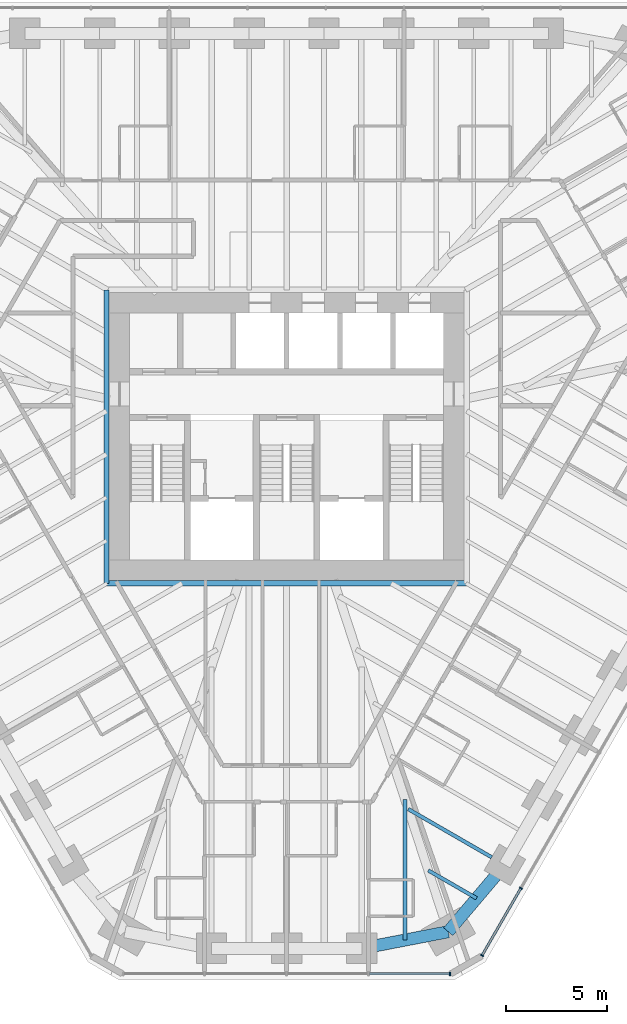
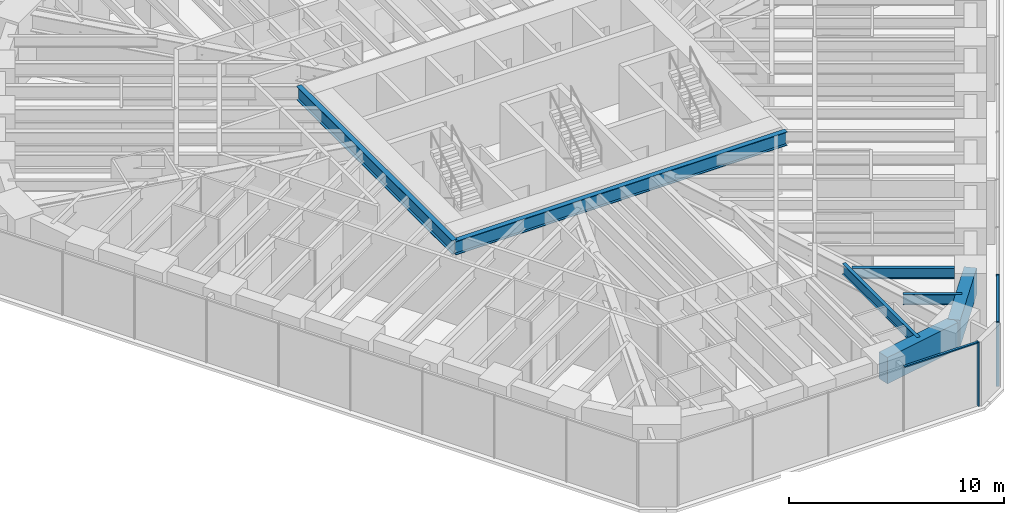
# One storey, part 4 of 17: 7 beams, 5 members, 2 elements without a shape of their own.
"""IFC4 building model written with IfcOpenShell, lengths in metres."""

import ifcopenshell
import ifcopenshell.guid

model = None  # the IFC model being written
_history = None  # IfcOwnerHistory: only IFC2X3 demands one
_inside = {}  # id of a spatial element -> (the spatial element, [elements in it])
_under = {}  # id of a project, library or spatial element -> (it, [spatial elements below it])
_declared = {}  # id of a project -> (the project, [libraries it declares])
_typed = {}  # id of a type object -> (the type object, [elements of that type])
_made_of = {}  # id of a material, layer set ... -> (it, [elements and type objects made of it])


def new_model(schema):
    """Start an empty IFC model of exactly this schema.

    Asked for "IFC4X3", IfcOpenShell would pick the latest addendum, in which some entities
    have other attributes; the version numbers below select the first issue.
    IFC2X3 requires an IfcOwnerHistory on every rooted entity: one is made here for all.
    """
    global model, _history
    if schema == "IFC4X3":
        model = ifcopenshell.file(schema_version=(4, 3, 0, 0))
    else:
        model = ifcopenshell.file(schema=schema)
    _inside.clear()
    _under.clear()
    _declared.clear()
    _typed.clear()
    _made_of.clear()
    _history = None
    if model.schema == "IFC2X3":
        org = make("IfcOrganization", Name="unknown")
        user = make(
            "IfcPersonAndOrganization",
            ThePerson=make("IfcPerson", FamilyName="unknown"),
            TheOrganization=org,
        )
        app = make(
            "IfcApplication",
            ApplicationDeveloper=org,
            Version="unknown",
            ApplicationFullName="unknown",
            ApplicationIdentifier="unknown",
        )
        _history = make(
            "IfcOwnerHistory",
            OwningUser=user,
            OwningApplication=app,
            ChangeAction="ADDED",
            CreationDate=0,
        )
    return model


def make(cls, **values):
    """One entity of the class cls with the attributes given. An attribute that is None is left unset."""
    return model.create_entity(
        cls, **{name: value for name, value in values.items() if value is not None}
    )


def rooted(cls, **values):
    """An entity with a GlobalId (a new one), such as an element, a storey or a relation."""
    return make(cls, GlobalId=ifcopenshell.guid.new(), OwnerHistory=_history, **values)


def si_unit(unit_type, name, prefix=None):
    """IfcSIUnit, for example si_unit("LENGTHUNIT", "METRE", prefix="MILLI")."""
    return make("IfcSIUnit", UnitType=unit_type, Prefix=prefix, Name=name)


def assignment(units):
    """IfcUnitAssignment: the units of a project."""
    return None if units is None else make("IfcUnitAssignment", Units=units)


def point(xyz):
    """IfcCartesianPoint."""
    return None if xyz is None else make("IfcCartesianPoint", Coordinates=xyz)


def direction(xyz):
    """IfcDirection."""
    return None if xyz is None else make("IfcDirection", DirectionRatios=xyz)


def frame(location, z_axis=None, x_axis=None):
    """IfcAxis2Placement3D, a coordinate frame: its origin and axes. An axis left out is left unset."""
    return make(
        "IfcAxis2Placement3D",
        Location=point(location),
        Axis=direction(z_axis),
        RefDirection=direction(x_axis),
    )


def frame_2d(location, x_axis=None):
    """IfcAxis2Placement2D, a coordinate frame in the plane: its origin and x axis."""
    return make(
        "IfcAxis2Placement2D", Location=point(location), RefDirection=direction(x_axis)
    )


def origin():
    """The frame at (0, 0, 0) with its axes left unset."""
    return frame((0.0, 0.0, 0.0))


def origin_2d():
    """The frame at (0, 0) in the plane with its x axis left unset."""
    return frame_2d((0.0, 0.0))


def place(relative_to, where):
    """IfcLocalPlacement: puts the frame where relative to a parent placement (None: the world)."""
    return make(
        "IfcLocalPlacement", PlacementRelTo=relative_to, RelativePlacement=where
    )


def context(
    kind, dimensions, precision=None, world=None, true_north=None, identifier=None
):
    """IfcGeometricRepresentationContext, for example the 3D "Model" context."""
    return make(
        "IfcGeometricRepresentationContext",
        ContextIdentifier=identifier,
        ContextType=kind,
        CoordinateSpaceDimension=dimensions,
        Precision=precision,
        WorldCoordinateSystem=world,
        TrueNorth=true_north,
    )


def subcontext(parent, identifier, kind, view, scale=None):
    """IfcGeometricRepresentationSubContext, for example "Body" below "Model"."""
    return make(
        "IfcGeometricRepresentationSubContext",
        ContextIdentifier=identifier,
        ContextType=kind,
        ParentContext=parent,
        TargetScale=scale,
        TargetView=view,
    )


def project(units=None, contexts=None):
    """IfcProject with its units and contexts."""
    return rooted(
        "IfcProject",
        Name="project",
        RepresentationContexts=contexts,
        UnitsInContext=assignment(units),
    )


def spatial(cls, under=None, at=None, **own):
    """A site, building, storey or space (cls), placed at a placement, below another one or the project."""
    s = rooted(cls, ObjectPlacement=at, **own)
    if under is not None:
        _under.setdefault(under.id(), (under, []))[1].append(s)
    return s


def profile(cls, at=None, kind="AREA", **sizes):
    """A parametric profile (cls). Its sizes go by their IFC names, for example OverallWidth=200.0."""
    return make(cls, ProfileType=kind, Position=at, **sizes)


def rectangle(**sizes):
    """IfcRectangleProfileDef."""
    return profile("IfcRectangleProfileDef", **sizes)


def i_section(**sizes):
    """IfcIShapeProfileDef."""
    return profile("IfcIShapeProfileDef", **sizes)


def extrude(swept, where, along, depth):
    """IfcExtrudedAreaSolid: the profile swept, set in the frame where, extruded along a direction by depth."""
    return make(
        "IfcExtrudedAreaSolid",
        SweptArea=swept,
        Position=where,
        ExtrudedDirection=direction(along),
        Depth=depth,
    )


def shape(context_of_items, identifier, shape_type, items):
    """IfcShapeRepresentation: the items that make up one representation, for example the "Body"."""
    return make(
        "IfcShapeRepresentation",
        ContextOfItems=context_of_items,
        RepresentationIdentifier=identifier,
        RepresentationType=shape_type,
        Items=items,
    )


def material(Name=None, Category=None):
    """IfcMaterial."""
    return make("IfcMaterial", Name=Name, Category=Category)


def material_profile(
    of_material, cross_section, Name=None, Category=None, Priority=None
):
    """IfcMaterialProfile: a cross section and its material."""
    return make(
        "IfcMaterialProfile",
        Name=Name,
        Material=of_material,
        Profile=cross_section,
        Priority=Priority,
        Category=Category,
    )


def profile_set(profiles, Name=None, composite=None):
    """IfcMaterialProfileSet."""
    return make(
        "IfcMaterialProfileSet",
        Name=Name,
        MaterialProfiles=profiles,
        CompositeProfile=composite,
    )


def made_of(thing, what):
    """Note that an element or type object is made of a material, layer set ...; save() writes the relation."""
    if what is not None:
        _made_of.setdefault(what.id(), (what, []))[1].append(thing)
    return thing


def type_object(cls, material=None, **own):
    """A type object (cls), such as IfcWallType, which elements share."""
    return made_of(rooted(cls, **own), material)


def element(
    cls,
    number,
    at=None,
    inside=None,
    cuts=None,
    type_object=None,
    material=None,
    context=None,
    identifier="Body",
    shape_type=None,
    held_by="IfcProductDefinitionShape",
    body=None,
    shapes=None,
    **own,
):
    """One element of the class cls, such as IfcWall. Its Tag is "e" and its number.

    at: its placement. inside: the storey or other place that contains it. cuts: it is an
    opening in that element (IfcRelVoidsElement). A single representation is given by context,
    identifier, shape_type and body (its items); several are given by shapes. held_by: the class
    of the entity that holds the representations. save() writes the other relations.
    """
    e = rooted(cls, Tag="e%d" % number, ObjectPlacement=at, **own)
    if body is not None:
        shapes = [shape(context, identifier, shape_type, body)]
    if shapes is not None:
        e.Representation = make(held_by, Representations=shapes)
    if inside is not None:
        _inside.setdefault(inside.id(), (inside, []))[1].append(e)
    if cuts is not None:
        rooted(
            "IfcRelVoidsElement", RelatingBuildingElement=cuts, RelatedOpeningElement=e
        )
    if type_object is not None:
        _typed.setdefault(type_object.id(), (type_object, []))[1].append(e)
    return made_of(e, material)


def aggregate(whole, parts):
    """IfcRelAggregates: a whole, such as a stair, and the parts it consists of."""
    return rooted("IfcRelAggregates", RelatingObject=whole, RelatedObjects=parts)


def save(model, path):
    """Write the relations noted so far, then the file.

    IfcRelAggregates (storeys below a building ...), IfcRelContainedInSpatialStructure (elements
    in a storey), IfcRelDefinesByType, IfcRelAssociatesMaterial and IfcRelDeclares: one each for
    every whole, place, type object, material and project.
    """
    for whole, parts in _under.values():
        aggregate(whole, parts)
    for where, things in _inside.values():
        rooted(
            "IfcRelContainedInSpatialStructure",
            RelatedElements=things,
            RelatingStructure=where,
        )
    for kind, things in _typed.values():
        rooted("IfcRelDefinesByType", RelatedObjects=things, RelatingType=kind)
    for what, things in _made_of.values():
        rooted("IfcRelAssociatesMaterial", RelatedObjects=things, RelatingMaterial=what)
    for by, libraries in _declared.values():
        rooted("IfcRelDeclares", RelatingContext=by, RelatedDefinitions=libraries)
    model.write(path)


model = new_model("IFC4")

# Units and contexts
model_context = context("Model", 3, precision=1e-05, world=origin(), true_north=direction((0.0, 1.0)))
body_context = subcontext(model_context, "Body", "Model", "MODEL_VIEW")
ifc_project = project(units=[si_unit("LENGTHUNIT", "METRE"), si_unit("AREAUNIT", "SQUARE_METRE"), si_unit("VOLUMEUNIT", "CUBIC_METRE"), si_unit("PLANEANGLEUNIT", "RADIAN"), si_unit("MASSUNIT", "GRAM", prefix="KILO")], contexts=[model_context])

# Site, building, storey
site_placement = place(None, origin())
site = spatial("IfcSite", under=ifc_project, at=site_placement, CompositionType="ELEMENT")
building_placement = place(site_placement, origin())
building = spatial("IfcBuilding", under=site, at=building_placement, Name="Sandreach Pilgrim Tower", CompositionType="ELEMENT")
storey_placement = place(building_placement, frame((0.0, 0.0, 221.199951171875)))
storey = spatial("IfcBuildingStorey", under=building, at=storey_placement, Name="L55", CompositionType="ELEMENT", Elevation=221.199951171875)

# Curtain wall, members
ifc_material_1 = material(Name="Aluminium framed curtain wall", Category="aluminium")
curtain_wall_type = type_object("IfcCurtainWallType", Name="Upper hotel tower curtain wall", PredefinedType="NOTDEFINED", material=ifc_material_1)
curtain_wall_1_placement = place(storey_placement, origin())
curtain_wall_1 = element("IfcCurtainWall", 1, at=curtain_wall_1_placement, inside=storey, type_object=curtain_wall_type, Name="CW-3 L55 SE", PredefinedType="NOTDEFINED")
ifc_material_2 = material(Name="Aluminium extrusion", Category="aluminium")
ifc_material_profile_1 = material_profile(ifc_material_2, rectangle(XDim=0.06494140625, YDim=0.159912109375, at=origin_2d()), Name="CW-3M 65X160")
ifc_profile_set_1 = profile_set([ifc_material_profile_1], Name="Aluminium extrusion")
member_type_1 = type_object("IfcMemberType", Name="CW-3 mullion", PredefinedType="MULLION", material=ifc_profile_set_1)
member_1_placement = place(storey_placement, frame((11.5625, -22.29345703125, 0.0), z_axis=(0.0, 0.0, 1.0), x_axis=(-0.5, -0.866025403784, 0.0)))
member_1 = element("IfcMember", 2, at=member_1_placement, type_object=member_type_1, Name="CW-3 mullion 9", PredefinedType="MULLION", context=body_context, shape_type="SweptSolid", body=[
    extrude(rectangle(XDim=0.06494140625, YDim=0.159912109375, at=origin_2d()), origin(), (0.0, 0.0, 1.0), 3.64013671875),
])
member_2_placement = place(storey_placement, frame((9.646484375, -25.612060546875, 0.0), z_axis=(0.0, 0.0, 1.0), x_axis=(-0.5, -0.866025403784, 0.0)))
member_2 = element("IfcMember", 3, at=member_2_placement, type_object=member_type_1, Name="CW-3 mullion 10", PredefinedType="MULLION", context=body_context, shape_type="SweptSolid", body=[
    extrude(rectangle(XDim=0.06494140625, YDim=0.159912109375, at=origin_2d()), origin(), (0.0, 0.0, 1.0), 3.64013671875),
])

# Curtain wall, member
curtain_wall_2_placement = place(storey_placement, origin())
curtain_wall_2 = element("IfcCurtainWall", 4, at=curtain_wall_2_placement, inside=storey, type_object=curtain_wall_type, Name="CW-3 L55 S", PredefinedType="NOTDEFINED")
member_3_placement = place(storey_placement, frame((8.06494140625, -26.525146484375, 0.0), z_axis=(0.0, 0.0, 1.0), x_axis=(-1.0, 0.0, 0.0)))
member_3 = element("IfcMember", 5, at=member_3_placement, type_object=member_type_1, Name="CW-3 mullion 1", PredefinedType="MULLION", context=body_context, shape_type="SweptSolid", body=[
    extrude(rectangle(XDim=0.06494140625, YDim=0.159912109375, at=origin_2d()), origin(), (0.0, 0.0, 1.0), 3.64013671875),
])

# Member
ifc_material_3 = material(Name="Aluminium extrusion", Category="aluminium")
ifc_material_profile_2 = material_profile(ifc_material_3, rectangle(XDim=0.1201171875, YDim=0.070068359375, at=origin_2d()), Name="CW-3T 120X70")
ifc_profile_set_2 = profile_set([ifc_material_profile_2], Name="Aluminium extrusion")
member_type_2 = type_object("IfcMemberType", Name="CW-3 transom", PredefinedType="USERDEFINED", material=ifc_profile_set_2)
member_4_placement = place(storey_placement, frame((11.546142578125, -22.321533203125, 3.60498046875), z_axis=(-0.499973055223, -0.8660409598, 0.0), x_axis=(0.8660409598, -0.499973055223, 0.0)))
member_4 = element("IfcMember", 6, at=member_4_placement, type_object=member_type_2, Name="CW-3 head transom 9", ObjectType="TRANSOM", PredefinedType="USERDEFINED", context=body_context, shape_type="SweptSolid", body=[
    extrude(rectangle(XDim=0.1201171875, YDim=0.070068359375, at=origin_2d()), origin(), (0.0, 0.0, 1.0), 3.766845703125),
])

aggregate(curtain_wall_1, [member_1, member_2, member_4])

member_5_placement = place(storey_placement, frame((8.032470703125, -26.525146484375, 3.60498046875), z_axis=(-1.0, 0.0, 0.0), x_axis=(0.0, -1.0, 0.0)))
member_5 = element("IfcMember", 7, at=member_5_placement, type_object=member_type_2, Name="CW-3 head transom 1", ObjectType="TRANSOM", PredefinedType="USERDEFINED", context=body_context, shape_type="SweptSolid", body=[
    extrude(rectangle(XDim=0.1201171875, YDim=0.070068359375, at=origin_2d()), origin(), (0.0, 0.0, 1.0), 3.951171875),
])

aggregate(curtain_wall_2, [member_3, member_5])

# Beams
ifc_material_4 = material(Name="Steel ASTM A992 Grade 50", Category="steel")
ifc_material_profile_3 = material_profile(ifc_material_4, i_section(OverallWidth=0.2666015625, OverallDepth=0.77978515625, WebThickness=0.0166015625, FlangeThickness=0.030029296875, at=origin_2d()), Name="W30X148")
ifc_profile_set_3 = profile_set([ifc_material_profile_3], Name="Steel ASTM A992 Grade 50")
beam_type_1 = type_object("IfcBeamType", Name="Core edge beam W30X148", PredefinedType="BEAM", material=ifc_profile_set_3)
beam_1_placement = place(storey_placement, frame((8.893310546875, -7.243408203125, 3.250244140625), z_axis=(-1.0, 0.0, 0.0), x_axis=(0.0, -1.0, 0.0)))
element("IfcBeam", 8, at=beam_1_placement, inside=storey, type_object=beam_type_1, Name="BM L55 CES", PredefinedType="BEAM", context=body_context, shape_type="SweptSolid", body=[
    extrude(i_section(OverallWidth=0.2666015625, OverallDepth=0.77978515625, WebThickness=0.0166015625, FlangeThickness=0.030029296875, at=origin_2d()), origin(), (0.0, 0.0, 1.0), 17.78662109375),
])
beam_2_placement = place(storey_placement, frame((-8.893310546875, -7.243408203125, 3.250244140625), z_axis=(0.0, 1.0, 0.0), x_axis=(-1.0, 0.0, 0.0)))
element("IfcBeam", 9, at=beam_2_placement, inside=storey, type_object=beam_type_1, Name="BM L55 CEW", PredefinedType="BEAM", context=body_context, shape_type="SweptSolid", body=[
    extrude(i_section(OverallWidth=0.2666015625, OverallDepth=0.77978515625, WebThickness=0.0166015625, FlangeThickness=0.030029296875, at=origin_2d()), origin(), (0.0, 0.0, 1.0), 14.48681640625),
])
ifc_material_5 = material(Name="Steel ASTM A992 Grade 50", Category="steel")
ifc_material_profile_4 = material_profile(ifc_material_5, i_section(OverallWidth=0.1787109375, OverallDepth=0.60205078125, WebThickness=0.010986328125, FlangeThickness=0.014892578125, at=origin_2d()), Name="W24X62")
ifc_profile_set_4 = profile_set([ifc_material_profile_4], Name="Steel ASTM A992 Grade 50")
beam_type_2 = type_object("IfcBeamType", Name="Floor beam W24X62", PredefinedType="BEAM", material=ifc_profile_set_4)
beam_3_placement = place(storey_placement, frame((10.12255859375, -20.767333984375, 3.339111328125), z_axis=(-0.86603347311, 0.499986023258, 0.0), x_axis=(-0.499986023258, -0.86603347311, 0.0)))
element("IfcBeam", 10, at=beam_3_placement, inside=storey, type_object=beam_type_2, Name="BM L55 F21", PredefinedType="BEAM", context=body_context, shape_type="SweptSolid", body=[
    extrude(i_section(OverallWidth=0.1787109375, OverallDepth=0.60205078125, WebThickness=0.010986328125, FlangeThickness=0.014892578125, at=origin_2d()), origin(), (0.0, 0.0, 1.0), 4.757568359375),
])
beam_4_placement = place(storey_placement, frame((9.375244140625, -22.7919921875, 3.339111328125), z_axis=(-0.866046803606, 0.49996293259, 0.0), x_axis=(-0.49996293259, -0.866046803606, 0.0)))
element("IfcBeam", 11, at=beam_4_placement, inside=storey, type_object=beam_type_2, Name="BM L55 FM21", PredefinedType="BEAM", context=body_context, shape_type="SweptSolid", body=[
    extrude(i_section(OverallWidth=0.1787109375, OverallDepth=0.60205078125, WebThickness=0.010986328125, FlangeThickness=0.014892578125, at=origin_2d()), origin(), (0.0, 0.0, 1.0), 2.753662109375),
])
beam_5_placement = place(storey_placement, frame((5.844482421875, -24.853515625, 3.339111328125), z_axis=(0.0, 1.0, 0.0), x_axis=(-1.0, 0.0, 0.0)))
element("IfcBeam", 12, at=beam_5_placement, inside=storey, type_object=beam_type_2, Name="BM L55 FM22", PredefinedType="BEAM", context=body_context, shape_type="SweptSolid", body=[
    extrude(i_section(OverallWidth=0.1787109375, OverallDepth=0.60205078125, WebThickness=0.010986328125, FlangeThickness=0.014892578125, at=origin_2d()), origin(), (0.0, 0.0, 1.0), 6.94921875),
])
ifc_material_6 = material(Name="Concrete 10000 psi", Category="concrete")
ifc_material_profile_5 = material_profile(ifc_material_6, rectangle(XDim=0.60009765625, YDim=1.5, at=origin_2d()), Name="RC600X1500")
ifc_profile_set_5 = profile_set([ifc_material_profile_5], Name="Concrete 10000 psi")
beam_type_3 = type_object("IfcBeamType", Name="Spandrel beam RC600X1500", PredefinedType="SPANDREL", material=ifc_profile_set_5)
beam_6_placement = place(storey_placement, frame((10.772216796875, -21.142333984375, 2.89013671875), z_axis=(-0.646180160755, -0.76318490541, 0.0), x_axis=(0.76318490541, -0.646180160755, 0.0)))
element("IfcBeam", 13, at=beam_6_placement, inside=storey, type_object=beam_type_3, Name="BM L55 SP21", PredefinedType="SPANDREL", context=body_context, shape_type="SweptSolid", body=[
    extrude(rectangle(XDim=0.60009765625, YDim=1.5, at=origin_2d()), origin(), (0.0, 0.0, 1.0), 4.323486328125),
])
beam_7_placement = place(storey_placement, frame((7.978515625, -24.44189453125, 2.89013671875), z_axis=(-0.981901333807, -0.18939316426, 0.0), x_axis=(0.18939316426, -0.981901333807, 0.0)))
element("IfcBeam", 14, at=beam_7_placement, inside=storey, type_object=beam_type_3, Name="BM L55 SP22", PredefinedType="SPANDREL", context=body_context, shape_type="SweptSolid", body=[
    extrude(rectangle(XDim=0.60009765625, YDim=1.5, at=origin_2d()), origin(), (0.0, 0.0, 1.0), 4.3466796875),
])

save(model, "model.ifc")
